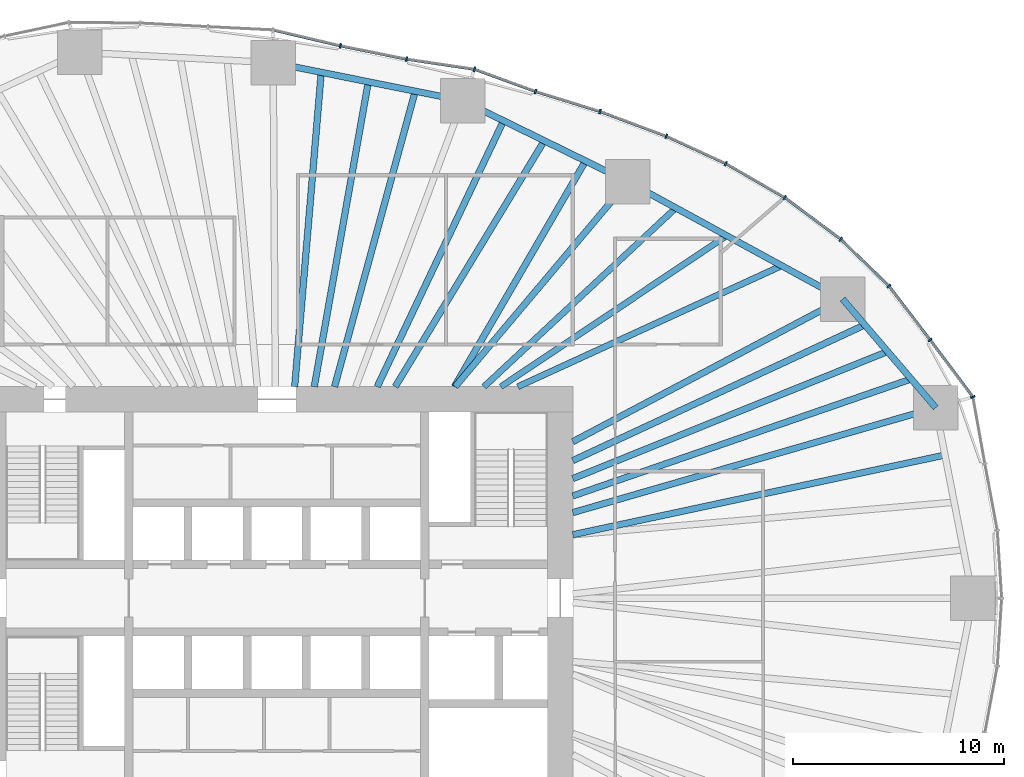
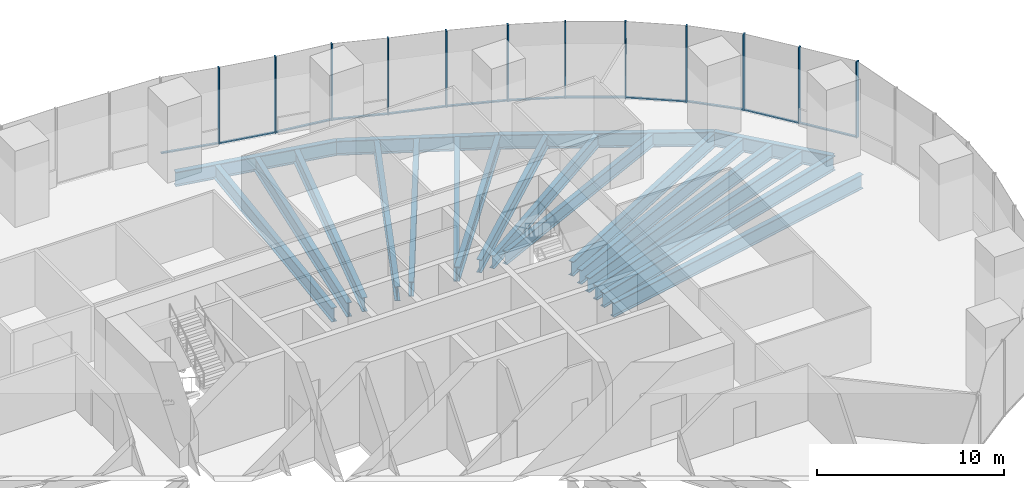
# One storey, part 6 of 20: 24 members, 20 beams, 4 elements without a shape of their own.
"""IFC4 building model written with IfcOpenShell, lengths in metres."""

from ifc_helpers import new_model, si_unit, direction, frame, origin, origin_2d, place, context, subcontext, project, spatial, rectangle, i_section, extrude, material, material_profile, profile_set, type_object, element, aggregate, save


model = new_model("IFC4")

# Units and contexts
model_context = context("Model", 3, precision=1e-05, world=origin(), true_north=direction((0.0, 1.0)))
body_context = subcontext(model_context, "Body", "Model", "MODEL_VIEW")
ifc_project = project(units=[si_unit("LENGTHUNIT", "METRE"), si_unit("AREAUNIT", "SQUARE_METRE"), si_unit("VOLUMEUNIT", "CUBIC_METRE"), si_unit("PLANEANGLEUNIT", "RADIAN"), si_unit("MASSUNIT", "GRAM", prefix="KILO")], contexts=[model_context])

# Site, building, storey
site_placement = place(None, origin())
site = spatial("IfcSite", under=ifc_project, at=site_placement, CompositionType="ELEMENT")
building_placement = place(site_placement, origin())
building = spatial("IfcBuilding", under=site, at=building_placement, Name="Ghaith Harvest Tower", CompositionType="ELEMENT")
storey_placement = place(building_placement, frame((0.0, 0.0, 45.0)))
storey = spatial("IfcBuildingStorey", under=building, at=storey_placement, Name="L09", CompositionType="ELEMENT", Elevation=45.0)

# Curtain wall, members
ifc_material_1 = material(Name="Black anodised aluminium and fritted glass", Category="aluminium")
curtain_wall_type = type_object("IfcCurtainWallType", Name="CW-F CURTAIN WALL", PredefinedType="NOTDEFINED", material=ifc_material_1)
curtain_wall_1_placement = place(storey_placement, origin())
curtain_wall_1 = element("IfcCurtainWall", 1, at=curtain_wall_1_placement, inside=storey, type_object=curtain_wall_type, Name="Curtain wall CW-F bay 02 L09", PredefinedType="NOTDEFINED")
ifc_material_2 = material(Name="Aluminium, black anodised", Category="aluminium")
ifc_material_profile_1 = material_profile(ifc_material_2, rectangle(XDim=0.080078125, YDim=0.219970703125, at=origin_2d()), Name="CW-F MULLION 80x220")
ifc_profile_set_1 = profile_set([ifc_material_profile_1], Name="Aluminium, black anodised")
member_type_1 = type_object("IfcMemberType", Name="CW-F MULLION 80x220", PredefinedType="MULLION", material=ifc_profile_set_1)
member_1_placement = place(storey_placement, frame((32.923583984375, 9.515625, 0.0), z_axis=(0.0, 0.0, 1.0), x_axis=(-0.404701693729, 0.914448762421, 0.0)))
member_1 = element("IfcMember", 2, at=member_1_placement, type_object=member_type_1, Name="CW-F mullion 1 bay 02 L09", PredefinedType="MULLION", context=body_context, shape_type="SweptSolid", body=[
    extrude(rectangle(XDim=0.080078125, YDim=0.219970703125, at=origin_2d()), origin(), (0.0, 0.0, 1.0), 5.0),
])
member_2_placement = place(storey_placement, frame((30.896728515625, 12.215087890625, 0.0), z_axis=(0.0, 0.0, 1.0), x_axis=(-0.603948315345, 0.797023482961, 0.0)))
member_2 = element("IfcMember", 3, at=member_2_placement, type_object=member_type_1, Name="CW-F mullion 2 bay 02 L09", PredefinedType="MULLION", context=body_context, shape_type="SweptSolid", body=[
    extrude(rectangle(XDim=0.080078125, YDim=0.219970703125, at=origin_2d()), origin(), (0.0, 0.0, 1.0), 5.0),
])
member_3_placement = place(storey_placement, frame((28.947021484375, 14.763427734375, 0.0), z_axis=(0.0, 0.0, 1.0), x_axis=(-0.663604797296, 0.748083332929, 0.0)))
member_3 = element("IfcMember", 4, at=member_3_placement, type_object=member_type_1, Name="CW-F mullion 3 bay 02 L09", PredefinedType="MULLION", context=body_context, shape_type="SweptSolid", body=[
    extrude(rectangle(XDim=0.080078125, YDim=0.219970703125, at=origin_2d()), origin(), (0.0, 0.0, 1.0), 5.0),
])

curtain_wall_2_placement = place(storey_placement, origin())
curtain_wall_2 = element("IfcCurtainWall", 5, at=curtain_wall_2_placement, inside=storey, type_object=curtain_wall_type, Name="Curtain wall CW-F bay 03 L09", PredefinedType="NOTDEFINED")
member_4_placement = place(storey_placement, frame((26.673828125, 16.9755859375, 0.0), z_axis=(0.0, 0.0, 1.0), x_axis=(-0.762365981091, 0.647146127915, 0.0)))
member_4 = element("IfcMember", 6, at=member_4_placement, type_object=member_type_1, Name="CW-F mullion 1 bay 03 L09", PredefinedType="MULLION", context=body_context, shape_type="SweptSolid", body=[
    extrude(rectangle(XDim=0.080078125, YDim=0.219970703125, at=origin_2d()), origin(), (0.0, 0.0, 1.0), 5.0),
])
member_5_placement = place(storey_placement, frame((24.018310546875, 18.947265625, 0.0), z_axis=(0.0, 0.0, 1.0), x_axis=(-0.835443516723, 0.549576318963, 0.0)))
member_5 = element("IfcMember", 7, at=member_5_placement, type_object=member_type_1, Name="CW-F mullion 2 bay 03 L09", PredefinedType="MULLION", context=body_context, shape_type="SweptSolid", body=[
    extrude(rectangle(XDim=0.080078125, YDim=0.219970703125, at=origin_2d()), origin(), (0.0, 0.0, 1.0), 5.0),
])
member_6_placement = place(storey_placement, frame((21.2353515625, 20.552978515625, 0.0), z_axis=(0.0, 0.0, 1.0), x_axis=(-0.887896671642, 0.460042933308, 0.0)))
member_6 = element("IfcMember", 8, at=member_6_placement, type_object=member_type_1, Name="CW-F mullion 3 bay 03 L09", PredefinedType="MULLION", context=body_context, shape_type="SweptSolid", body=[
    extrude(rectangle(XDim=0.080078125, YDim=0.219970703125, at=origin_2d()), origin(), (0.0, 0.0, 1.0), 5.0),
])

curtain_wall_3_placement = place(storey_placement, origin())
curtain_wall_3 = element("IfcCurtainWall", 9, at=curtain_wall_3_placement, inside=storey, type_object=curtain_wall_type, Name="Curtain wall CW-F bay 04 L09", PredefinedType="NOTDEFINED")
member_7_placement = place(storey_placement, frame((18.422607421875, 21.8466796875, 0.0), z_axis=(0.0, 0.0, 1.0), x_axis=(-0.923910199252, 0.382609387912, 0.0)))
member_7 = element("IfcMember", 10, at=member_7_placement, type_object=member_type_1, Name="CW-F mullion 1 bay 04 L09", PredefinedType="MULLION", context=body_context, shape_type="SweptSolid", body=[
    extrude(rectangle(XDim=0.080078125, YDim=0.219970703125, at=origin_2d()), origin(), (0.0, 0.0, 1.0), 5.0),
])
member_8_placement = place(storey_placement, frame((15.28759765625, 23.01611328125, 0.0), z_axis=(0.0, 0.0, 1.0), x_axis=(-0.946121020954, 0.323813238933, 0.0)))
member_8 = element("IfcMember", 11, at=member_8_placement, type_object=member_type_1, Name="CW-F mullion 2 bay 04 L09", PredefinedType="MULLION", context=body_context, shape_type="SweptSolid", body=[
    extrude(rectangle(XDim=0.080078125, YDim=0.219970703125, at=origin_2d()), origin(), (0.0, 0.0, 1.0), 5.0),
])
member_9_placement = place(storey_placement, frame((12.234375, 23.964599609375, 0.0), z_axis=(0.0, 0.0, 1.0), x_axis=(-0.947653438436, 0.319300736957, 0.0)))
member_9 = element("IfcMember", 12, at=member_9_placement, type_object=member_type_1, Name="CW-F mullion 3 bay 04 L09", PredefinedType="MULLION", context=body_context, shape_type="SweptSolid", body=[
    extrude(rectangle(XDim=0.080078125, YDim=0.219970703125, at=origin_2d()), origin(), (0.0, 0.0, 1.0), 5.0),
])

curtain_wall_4_placement = place(storey_placement, origin())
curtain_wall_4 = element("IfcCurtainWall", 13, at=curtain_wall_4_placement, inside=storey, type_object=curtain_wall_type, Name="Curtain wall CW-F bay 05 L09", PredefinedType="NOTDEFINED")
member_10_placement = place(storey_placement, frame((9.351806640625, 25.01611328125, 0.0), z_axis=(0.0, 0.0, 1.0), x_axis=(-0.969903429236, 0.243489913461, 0.0)))
member_10 = element("IfcMember", 14, at=member_10_placement, type_object=member_type_1, Name="CW-F mullion 1 bay 05 L09", PredefinedType="MULLION", context=body_context, shape_type="SweptSolid", body=[
    extrude(rectangle(XDim=0.080078125, YDim=0.219970703125, at=origin_2d()), origin(), (0.0, 0.0, 1.0), 5.0),
])
member_11_placement = place(storey_placement, frame((6.136962890625, 25.495361328125, 0.0), z_axis=(0.0, 0.0, 1.0), x_axis=(-0.985103843977, 0.171960508788, 0.0)))
member_11 = element("IfcMember", 15, at=member_11_placement, type_object=member_type_1, Name="CW-F mullion 2 bay 05 L09", PredefinedType="MULLION", context=body_context, shape_type="SweptSolid", body=[
    extrude(rectangle(XDim=0.080078125, YDim=0.219970703125, at=origin_2d()), origin(), (0.0, 0.0, 1.0), 5.0),
])
member_12_placement = place(storey_placement, frame((3.00927734375, 26.123291015625, 0.0), z_axis=(0.0, 0.0, 1.0), x_axis=(-0.976927332869, 0.213571969822, 0.0)))
member_12 = element("IfcMember", 16, at=member_12_placement, type_object=member_type_1, Name="CW-F mullion 3 bay 05 L09", PredefinedType="MULLION", context=body_context, shape_type="SweptSolid", body=[
    extrude(rectangle(XDim=0.080078125, YDim=0.219970703125, at=origin_2d()), origin(), (0.0, 0.0, 1.0), 5.0),
])

# Member
ifc_material_3 = material(Name="Aluminium, black anodised", Category="aluminium")
ifc_material_profile_2 = material_profile(ifc_material_3, rectangle(XDim=0.139892578125, YDim=0.080078125, at=origin_2d()), Name="CW-F TRANSOM 140x80")
ifc_profile_set_2 = profile_set([ifc_material_profile_2], Name="Aluminium, black anodised")
member_type_2 = type_object("IfcMemberType", Name="CW-F TRANSOM 140x80", PredefinedType="USERDEFINED", material=ifc_profile_set_2)
member_13_placement = place(storey_placement, frame((32.899658203125, 9.547607421875, 0.0400390625), z_axis=(-0.600462135687, 0.799653189581, 0.0), x_axis=(-0.799653189581, -0.600462135687, 0.0)))
member_13 = element("IfcMember", 17, at=member_13_placement, type_object=member_type_2, Name="CW-F transom 1 bay 02 L09", ObjectType="TRANSOM", PredefinedType="USERDEFINED", context=body_context, shape_type="SweptSolid", body=[
    extrude(rectangle(XDim=0.139892578125, YDim=0.080078125, at=origin_2d()), origin(), (0.0, 0.0, 1.0), 3.2958984375),
])

member_14_placement = place(storey_placement, frame((30.87255859375, 12.246826171875, 0.0400390625), z_axis=(-0.607638356471, 0.794213842579, 0.0), x_axis=(-0.794213842579, -0.607638356471, 0.0)))
member_14 = element("IfcMember", 18, at=member_14_placement, type_object=member_type_2, Name="CW-F transom 2 bay 02 L09", ObjectType="TRANSOM", PredefinedType="USERDEFINED", context=body_context, shape_type="SweptSolid", body=[
    extrude(rectangle(XDim=0.139892578125, YDim=0.080078125, at=origin_2d()), origin(), (0.0, 0.0, 1.0), 3.128662109375),
])

member_15_placement = place(storey_placement, frame((28.91845703125, 14.791259765625, 0.0400390625), z_axis=(-0.71671313139, 0.697368114623, 0.0), x_axis=(-0.697368114623, -0.71671313139, 0.0)))
member_15 = element("IfcMember", 19, at=member_15_placement, type_object=member_type_2, Name="CW-F transom 3 bay 02 L09", ObjectType="TRANSOM", PredefinedType="USERDEFINED", context=body_context, shape_type="SweptSolid", body=[
    extrude(rectangle(XDim=0.139892578125, YDim=0.080078125, at=origin_2d()), origin(), (0.0, 0.0, 1.0), 3.092041015625),
])

aggregate(curtain_wall_1, [member_1, member_13, member_2, member_14, member_3, member_15])

member_16_placement = place(storey_placement, frame((26.641845703125, 16.999267578125, 0.0400390625), z_axis=(-0.802877287823, 0.596144328748, 0.0), x_axis=(-0.596144328748, -0.802877287823, 0.0)))
member_16 = element("IfcMember", 20, at=member_16_placement, type_object=member_type_2, Name="CW-F transom 1 bay 03 L09", ObjectType="TRANSOM", PredefinedType="USERDEFINED", context=body_context, shape_type="SweptSolid", body=[
    extrude(rectangle(XDim=0.139892578125, YDim=0.080078125, at=origin_2d()), origin(), (0.0, 0.0, 1.0), 3.2275390625),
])

member_17_placement = place(storey_placement, frame((23.983642578125, 18.96728515625, 0.0400390625), z_axis=(-0.866168719914, 0.499751686983, 0.0), x_axis=(-0.499751686983, -0.866168719914, 0.0)))
member_17 = element("IfcMember", 21, at=member_17_placement, type_object=member_type_2, Name="CW-F transom 2 bay 03 L09", ObjectType="TRANSOM", PredefinedType="USERDEFINED", context=body_context, shape_type="SweptSolid", body=[
    extrude(rectangle(XDim=0.139892578125, YDim=0.080078125, at=origin_2d()), origin(), (0.0, 0.0, 1.0), 3.1328125),
])

member_18_placement = place(storey_placement, frame((21.19921875, 20.56982421875, 0.0400390625), z_axis=(-0.908553137239, 0.417769310521, 0.0), x_axis=(-0.417769310521, -0.908553137239, 0.0)))
member_18 = element("IfcMember", 22, at=member_18_placement, type_object=member_type_2, Name="CW-F transom 3 bay 03 L09", ObjectType="TRANSOM", PredefinedType="USERDEFINED", context=body_context, shape_type="SweptSolid", body=[
    extrude(rectangle(XDim=0.139892578125, YDim=0.080078125, at=origin_2d()), origin(), (0.0, 0.0, 1.0), 3.01611328125),
])

aggregate(curtain_wall_2, [member_4, member_16, member_5, member_17, member_6, member_18])

member_19_placement = place(storey_placement, frame((18.385009765625, 21.860595703125, 0.0400390625), z_axis=(-0.936923785579, 0.349533717996, 0.0), x_axis=(-0.349533717996, -0.936923785579, 0.0)))
member_19 = element("IfcMember", 23, at=member_19_placement, type_object=member_type_2, Name="CW-F transom 1 bay 04 L09", ObjectType="TRANSOM", PredefinedType="USERDEFINED", context=body_context, shape_type="SweptSolid", body=[
    extrude(rectangle(XDim=0.139892578125, YDim=0.080078125, at=origin_2d()), origin(), (0.0, 0.0, 1.0), 3.26611328125),
])

member_20_placement = place(storey_placement, frame((15.249267578125, 23.028076171875, 0.0400390625), z_axis=(-0.954998362353, 0.296611071781, 0.0), x_axis=(-0.296611071781, -0.954998362353, 0.0)))
member_20 = element("IfcMember", 24, at=member_20_placement, type_object=member_type_2, Name="CW-F transom 2 bay 04 L09", ObjectType="TRANSOM", PredefinedType="USERDEFINED", context=body_context, shape_type="SweptSolid", body=[
    extrude(rectangle(XDim=0.139892578125, YDim=0.080078125, at=origin_2d()), origin(), (0.0, 0.0, 1.0), 3.1171875),
])

member_21_placement = place(storey_placement, frame((12.19677734375, 23.978271484375, 0.0400390625), z_axis=(-0.939437502081, 0.342720264478, 0.0), x_axis=(-0.342720264478, -0.939437502081, 0.0)))
member_21 = element("IfcMember", 25, at=member_21_placement, type_object=member_type_2, Name="CW-F transom 3 bay 04 L09", ObjectType="TRANSOM", PredefinedType="USERDEFINED", context=body_context, shape_type="SweptSolid", body=[
    extrude(rectangle(XDim=0.139892578125, YDim=0.080078125, at=origin_2d()), origin(), (0.0, 0.0, 1.0), 2.98828125),
])

aggregate(curtain_wall_3, [member_7, member_19, member_8, member_20, member_9, member_21])

member_22_placement = place(storey_placement, frame((9.312255859375, 25.02197265625, 0.0400390625), z_axis=(-0.989078238205, 0.147391447207, 0.0), x_axis=(-0.147391447207, -0.989078238205, 0.0)))
member_22 = element("IfcMember", 26, at=member_22_placement, type_object=member_type_2, Name="CW-F transom 1 bay 05 L09", ObjectType="TRANSOM", PredefinedType="USERDEFINED", context=body_context, shape_type="SweptSolid", body=[
    extrude(rectangle(XDim=0.139892578125, YDim=0.080078125, at=origin_2d()), origin(), (0.0, 0.0, 1.0), 3.17041015625),
])

member_23_placement = place(storey_placement, frame((6.097900390625, 25.503173828125, 0.0400390625), z_axis=(-0.980432471193, 0.196855707129, 0.0), x_axis=(-0.196855707129, -0.980432471193, 0.0)))
member_23 = element("IfcMember", 27, at=member_23_placement, type_object=member_type_2, Name="CW-F transom 2 bay 05 L09", ObjectType="TRANSOM", PredefinedType="USERDEFINED", context=body_context, shape_type="SweptSolid", body=[
    extrude(rectangle(XDim=0.139892578125, YDim=0.080078125, at=origin_2d()), origin(), (0.0, 0.0, 1.0), 3.1103515625),
])

member_24_placement = place(storey_placement, frame((2.97021484375, 26.132568359375, 0.0400390625), z_axis=(-0.973252867589, 0.229736491942, 0.0), x_axis=(-0.229736491942, -0.973252867589, 0.0)))
member_24 = element("IfcMember", 28, at=member_24_placement, type_object=member_type_2, Name="CW-F transom 3 bay 05 L09", ObjectType="TRANSOM", PredefinedType="USERDEFINED", context=body_context, shape_type="SweptSolid", body=[
    extrude(rectangle(XDim=0.139892578125, YDim=0.080078125, at=origin_2d()), origin(), (0.0, 0.0, 1.0), 3.200927734375),
])

aggregate(curtain_wall_4, [member_10, member_22, member_11, member_23, member_12, member_24])

# Beams
ifc_material_4 = material(Name="Steel ASTM A992 Grade 50", Category="steel")
ifc_material_profile_3 = material_profile(ifc_material_4, i_section(OverallWidth=0.306884765625, OverallDepth=0.94189453125, WebThickness=0.022216796875, FlangeThickness=0.039794921875, at=origin_2d()), Name="W920X345")
ifc_profile_set_3 = profile_set([ifc_material_profile_3], Name="Steel ASTM A992 Grade 50")
beam_type_1 = type_object("IfcBeamType", Name="E920-345 W920X345", PredefinedType="SPANDREL", material=ifc_profile_set_3)
beam_1_placement = place(storey_placement, frame((31.166015625, 9.008056640625, -0.6708984375), z_axis=(-0.65056255283, 0.759452674533, 0.0), x_axis=(-0.759452674533, -0.65056255283, 0.0)))
element("IfcBeam", 29, at=beam_1_placement, inside=storey, type_object=beam_type_1, Name="Edge beam E02 L09", PredefinedType="SPANDREL", context=body_context, shape_type="SweptSolid", body=[
    extrude(i_section(OverallWidth=0.306884765625, OverallDepth=0.94189453125, WebThickness=0.022216796875, FlangeThickness=0.039794921875, at=origin_2d()), origin(), (0.0, 0.0, 1.0), 6.7666015625),
])
beam_2_placement = place(storey_placement, frame((26.763916015625, 14.14697265625, -0.6708984375), z_axis=(-0.877588218279, 0.479415184509, 0.0), x_axis=(-0.479415184509, -0.877588218279, 0.0)))
element("IfcBeam", 30, at=beam_2_placement, inside=storey, type_object=beam_type_1, Name="Edge beam E03 L09", PredefinedType="SPANDREL", context=body_context, shape_type="SweptSolid", body=[
    extrude(i_section(OverallWidth=0.306884765625, OverallDepth=0.94189453125, WebThickness=0.022216796875, FlangeThickness=0.039794921875, at=origin_2d()), origin(), (0.0, 0.0, 1.0), 11.57275390625),
])
beam_3_placement = place(storey_placement, frame((16.60791015625, 19.695068359375, -0.6708984375), z_axis=(-0.897823733825, 0.440355019252, 0.0), x_axis=(-0.440355019252, -0.897823733825, 0.0)))
element("IfcBeam", 31, at=beam_3_placement, inside=storey, type_object=beam_type_1, Name="Edge beam E04 L09", PredefinedType="SPANDREL", context=body_context, shape_type="SweptSolid", body=[
    extrude(i_section(OverallWidth=0.306884765625, OverallDepth=0.94189453125, WebThickness=0.022216796875, FlangeThickness=0.039794921875, at=origin_2d()), origin(), (0.0, 0.0, 1.0), 8.7021484375),
])
beam_4_placement = place(storey_placement, frame((8.794921875, 23.527099609375, -0.6708984375), z_axis=(-0.980450082464, 0.196767974517, 0.0), x_axis=(-0.196767974517, -0.980450082464, 0.0)))
element("IfcBeam", 32, at=beam_4_placement, inside=storey, type_object=beam_type_1, Name="Edge beam E05 L09", PredefinedType="SPANDREL", context=body_context, shape_type="SweptSolid", body=[
    extrude(i_section(OverallWidth=0.306884765625, OverallDepth=0.94189453125, WebThickness=0.022216796875, FlangeThickness=0.039794921875, at=origin_2d()), origin(), (0.0, 0.0, 1.0), 9.146728515625),
])
ifc_material_5 = material(Name="Steel ASTM A992 Grade 50", Category="steel")
ifc_material_profile_4 = material_profile(ifc_material_5, i_section(OverallWidth=0.306884765625, OverallDepth=0.94189453125, WebThickness=0.022216796875, FlangeThickness=0.039794921875, at=origin_2d()), Name="W920X345")
ifc_profile_set_4 = profile_set([ifc_material_profile_4], Name="Steel ASTM A992 Grade 50")
beam_type_2 = type_object("IfcBeamType", Name="G920-345 W920X345", PredefinedType="BEAM", material=ifc_profile_set_4)
beam_5_placement = place(storey_placement, frame((14.0, 4.04638671875, -0.6708984375), z_axis=(0.960675395102, 0.277673882903, 0.0), x_axis=(-0.277673882903, 0.960675395102, 0.0)))
element("IfcBeam", 33, at=beam_5_placement, inside=storey, type_object=beam_type_2, Name="Radial girder G02 L09", PredefinedType="BEAM", context=body_context, shape_type="SweptSolid", body=[
    extrude(i_section(OverallWidth=0.306884765625, OverallDepth=0.94189453125, WebThickness=0.022216796875, FlangeThickness=0.039794921875, at=origin_2d()), origin(), (0.0, 0.0, 1.0), 17.86865234375),
])
beam_6_placement = place(storey_placement, frame((14.0, 7.39990234375, -0.6708984375), z_axis=(0.884082663971, 0.467330550324, 0.0), x_axis=(-0.467330550324, 0.884082663971, 0.0)))
element("IfcBeam", 34, at=beam_6_placement, inside=storey, type_object=beam_type_2, Name="Radial girder G03 L09", PredefinedType="BEAM", context=body_context, shape_type="SweptSolid", body=[
    extrude(i_section(OverallWidth=0.306884765625, OverallDepth=0.94189453125, WebThickness=0.022216796875, FlangeThickness=0.039794921875, at=origin_2d()), origin(), (0.0, 0.0, 1.0), 14.4375),
])
beam_7_placement = place(storey_placement, frame((8.4326171875, 10.0, -0.6708984375), z_axis=(0.644644245772, 0.764482698557, 0.0), x_axis=(-0.764482698557, 0.644644245772, 0.0)))
element("IfcBeam", 35, at=beam_7_placement, inside=storey, type_object=beam_type_2, Name="Radial girder G04 L09", PredefinedType="BEAM", context=body_context, shape_type="SweptSolid", body=[
    extrude(i_section(OverallWidth=0.306884765625, OverallDepth=0.94189453125, WebThickness=0.022216796875, FlangeThickness=0.039794921875, at=origin_2d()), origin(), (0.0, 0.0, 1.0), 12.681884765625),
])
ifc_material_6 = material(Name="Steel ASTM A992 Grade 50", Category="steel")
ifc_material_profile_5 = material_profile(ifc_material_6, i_section(OverallWidth=0.2939453125, OverallDepth=0.85107421875, WebThickness=0.01611328125, FlangeThickness=0.02685546875, at=origin_2d()), Name="W840X226")
ifc_profile_set_5 = profile_set([ifc_material_profile_5], Name="Steel ASTM A992 Grade 50")
beam_type_3 = type_object("IfcBeamType", Name="J840-226 W840X226", PredefinedType="JOIST", material=ifc_profile_set_5)
beam_8_placement = place(storey_placement, frame((11.39990234375, 10.0, -0.62548828125), z_axis=(0.909014022454, 0.416765529983, 0.0), x_axis=(-0.416765529983, 0.909014022454, 0.0)))
element("IfcBeam", 36, at=beam_8_placement, inside=storey, type_object=beam_type_3, Name="Joist J03.1 L09", PredefinedType="JOIST", context=body_context, shape_type="SweptSolid", body=[
    extrude(i_section(OverallWidth=0.2939453125, OverallDepth=0.85107421875, WebThickness=0.01611328125, FlangeThickness=0.02685546875, at=origin_2d()), origin(), (0.0, 0.0, 1.0), 13.72998046875),
])
beam_9_placement = place(storey_placement, frame((10.60009765625, 10.0, -0.62548828125), z_axis=(0.831116486766, 0.556098359489, 0.0), x_axis=(-0.556098359489, 0.831116486766, 0.0)))
element("IfcBeam", 37, at=beam_9_placement, inside=storey, type_object=beam_type_3, Name="Joist J03.2 L09", PredefinedType="JOIST", context=body_context, shape_type="SweptSolid", body=[
    extrude(i_section(OverallWidth=0.2939453125, OverallDepth=0.85107421875, WebThickness=0.01611328125, FlangeThickness=0.02685546875, at=origin_2d()), origin(), (0.0, 0.0, 1.0), 12.84716796875),
])
beam_10_placement = place(storey_placement, frame((9.800048828125, 10.0, -0.62548828125), z_axis=(0.731538123562, 0.681800538116, 0.0), x_axis=(-0.681800538116, 0.731538123562, 0.0)))
element("IfcBeam", 38, at=beam_10_placement, inside=storey, type_object=beam_type_3, Name="Joist J03.3 L09", PredefinedType="JOIST", context=body_context, shape_type="SweptSolid", body=[
    extrude(i_section(OverallWidth=0.2939453125, OverallDepth=0.85107421875, WebThickness=0.01611328125, FlangeThickness=0.02685546875, at=origin_2d()), origin(), (0.0, 0.0, 1.0), 12.404052734375),
])
ifc_material_7 = material(Name="Steel ASTM A992 Grade 50", Category="steel")
ifc_material_profile_6 = material_profile(ifc_material_7, i_section(OverallWidth=0.31005859375, OverallDepth=0.927001953125, WebThickness=0.019287109375, FlangeThickness=0.031982421875, at=origin_2d()), Name="W920X289")
ifc_profile_set_6 = profile_set([ifc_material_profile_6], Name="Steel ASTM A992 Grade 50")
beam_type_4 = type_object("IfcBeamType", Name="J920-289 W920X289", PredefinedType="JOIST", material=ifc_profile_set_6)
beam_11_placement = place(storey_placement, frame((14.0, 6.506103515625, -0.66357421875), z_axis=(0.906862619792, 0.421426374144, 0.0), x_axis=(-0.421426374144, 0.906862619792, 0.0)))
element("IfcBeam", 39, at=beam_11_placement, inside=storey, type_object=beam_type_4, Name="Joist J02.3 L09", PredefinedType="JOIST", context=body_context, shape_type="SweptSolid", body=[
    extrude(i_section(OverallWidth=0.31005859375, OverallDepth=0.927001953125, WebThickness=0.019287109375, FlangeThickness=0.031982421875, at=origin_2d()), origin(), (0.0, 0.0, 1.0), 15.229736328125),
])
beam_12_placement = place(storey_placement, frame((8.39990234375, 10.0, -0.66357421875), z_axis=(0.50228574324, 0.864701701246, 0.0), x_axis=(-0.864701701246, 0.50228574324, 0.0)))
element("IfcBeam", 40, at=beam_12_placement, inside=storey, type_object=beam_type_4, Name="Joist J04.1 L09", PredefinedType="JOIST", context=body_context, shape_type="SweptSolid", body=[
    extrude(i_section(OverallWidth=0.31005859375, OverallDepth=0.927001953125, WebThickness=0.019287109375, FlangeThickness=0.031982421875, at=origin_2d()), origin(), (0.0, 0.0, 1.0), 12.349365234375),
])
beam_13_placement = place(storey_placement, frame((5.60009765625, 10.0, -0.66357421875), z_axis=(0.518319612023, 0.85518698528, 0.0), x_axis=(-0.85518698528, 0.518319612023, 0.0)))
element("IfcBeam", 41, at=beam_13_placement, inside=storey, type_object=beam_type_4, Name="Joist J04.2 L09", PredefinedType="JOIST", context=body_context, shape_type="SweptSolid", body=[
    extrude(i_section(OverallWidth=0.31005859375, OverallDepth=0.927001953125, WebThickness=0.019287109375, FlangeThickness=0.031982421875, at=origin_2d()), origin(), (0.0, 0.0, 1.0), 13.60546875),
])
beam_14_placement = place(storey_placement, frame((4.75, 10.0, -0.66357421875), z_axis=(0.429059675117, 0.903276145588, 0.0), x_axis=(-0.903276145588, 0.429059675117, 0.0)))
element("IfcBeam", 42, at=beam_14_placement, inside=storey, type_object=beam_type_4, Name="Joist J04.3 L09", PredefinedType="JOIST", context=body_context, shape_type="SweptSolid", body=[
    extrude(i_section(OverallWidth=0.31005859375, OverallDepth=0.927001953125, WebThickness=0.019287109375, FlangeThickness=0.031982421875, at=origin_2d()), origin(), (0.0, 0.0, 1.0), 13.92724609375),
])
beam_15_placement = place(storey_placement, frame((2.73095703125, 10.0, -0.66357421875), z_axis=(0.263455282447, 0.964671609487, 0.0), x_axis=(-0.964671609487, 0.263455282447, 0.0)))
element("IfcBeam", 43, at=beam_15_placement, inside=storey, type_object=beam_type_4, Name="Joist J05.1 L09", PredefinedType="JOIST", context=body_context, shape_type="SweptSolid", body=[
    extrude(i_section(OverallWidth=0.31005859375, OverallDepth=0.927001953125, WebThickness=0.019287109375, FlangeThickness=0.031982421875, at=origin_2d()), origin(), (0.0, 0.0, 1.0), 14.48974609375),
])
beam_16_placement = place(storey_placement, frame((1.772705078125, 10.0, -0.66357421875), z_axis=(0.174552574354, 0.984647855218, 0.0), x_axis=(-0.984647855218, 0.174552574354, 0.0)))
element("IfcBeam", 44, at=beam_16_placement, inside=storey, type_object=beam_type_4, Name="Joist J05.2 L09", PredefinedType="JOIST", context=body_context, shape_type="SweptSolid", body=[
    extrude(i_section(OverallWidth=0.31005859375, OverallDepth=0.927001953125, WebThickness=0.019287109375, FlangeThickness=0.031982421875, at=origin_2d()), origin(), (0.0, 0.0, 1.0), 14.648193359375),
])
beam_17_placement = place(storey_placement, frame((0.844970703125, 10.0, -0.66357421875), z_axis=(0.084219252187, 0.996447247756, 0.0), x_axis=(-0.996447247756, 0.084219252187, 0.0)))
element("IfcBeam", 45, at=beam_17_placement, inside=storey, type_object=beam_type_4, Name="Joist J05.3 L09", PredefinedType="JOIST", context=body_context, shape_type="SweptSolid", body=[
    extrude(i_section(OverallWidth=0.31005859375, OverallDepth=0.927001953125, WebThickness=0.019287109375, FlangeThickness=0.031982421875, at=origin_2d()), origin(), (0.0, 0.0, 1.0), 14.92333984375),
])
ifc_material_8 = material(Name="Steel ASTM A992 Grade 50", Category="steel")
ifc_material_profile_7 = material_profile(ifc_material_8, i_section(OverallWidth=0.306884765625, OverallDepth=0.94189453125, WebThickness=0.022216796875, FlangeThickness=0.039794921875, at=origin_2d()), Name="W920X345")
ifc_profile_set_7 = profile_set([ifc_material_profile_7], Name="Steel ASTM A992 Grade 50")
beam_type_5 = type_object("IfcBeamType", Name="J920-345 W920X345", PredefinedType="JOIST", material=ifc_profile_set_7)
beam_18_placement = place(storey_placement, frame((14.0, 3.0, -0.6708984375), z_axis=(0.977831380626, 0.209393865869, 0.0), x_axis=(-0.209393865869, 0.977831380626, 0.0)))
element("IfcBeam", 46, at=beam_18_placement, inside=storey, type_object=beam_type_5, Name="Joist J01.3 L09", PredefinedType="JOIST", context=body_context, shape_type="SweptSolid", body=[
    extrude(i_section(OverallWidth=0.306884765625, OverallDepth=0.94189453125, WebThickness=0.022216796875, FlangeThickness=0.039794921875, at=origin_2d()), origin(), (0.0, 0.0, 1.0), 18.002197265625),
])
beam_19_placement = place(storey_placement, frame((14.0, 4.835693359375, -0.6708984375), z_axis=(0.945204767809, 0.326478095607, 0.0), x_axis=(-0.326478095607, 0.945204767809, 0.0)))
element("IfcBeam", 47, at=beam_19_placement, inside=storey, type_object=beam_type_5, Name="Joist J02.1 L09", PredefinedType="JOIST", context=body_context, shape_type="SweptSolid", body=[
    extrude(i_section(OverallWidth=0.306884765625, OverallDepth=0.94189453125, WebThickness=0.022216796875, FlangeThickness=0.039794921875, at=origin_2d()), origin(), (0.0, 0.0, 1.0), 16.932373046875),
])
beam_20_placement = place(storey_placement, frame((14.0, 5.653564453125, -0.6708984375), z_axis=(0.927252192145, 0.374437407536, 0.0), x_axis=(-0.374437407536, 0.927252192145, 0.0)))
element("IfcBeam", 48, at=beam_20_placement, inside=storey, type_object=beam_type_5, Name="Joist J02.2 L09", PredefinedType="JOIST", context=body_context, shape_type="SweptSolid", body=[
    extrude(i_section(OverallWidth=0.306884765625, OverallDepth=0.94189453125, WebThickness=0.022216796875, FlangeThickness=0.039794921875, at=origin_2d()), origin(), (0.0, 0.0, 1.0), 16.057373046875),
])

save(model, "model.ifc")
